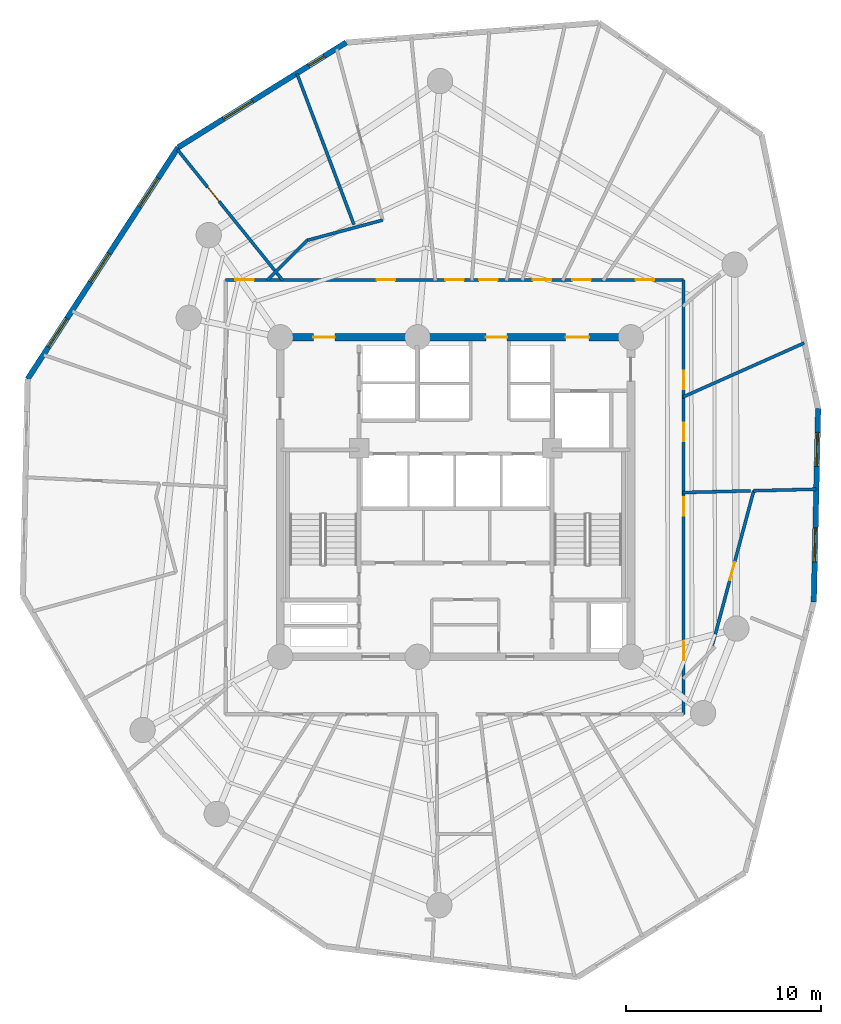
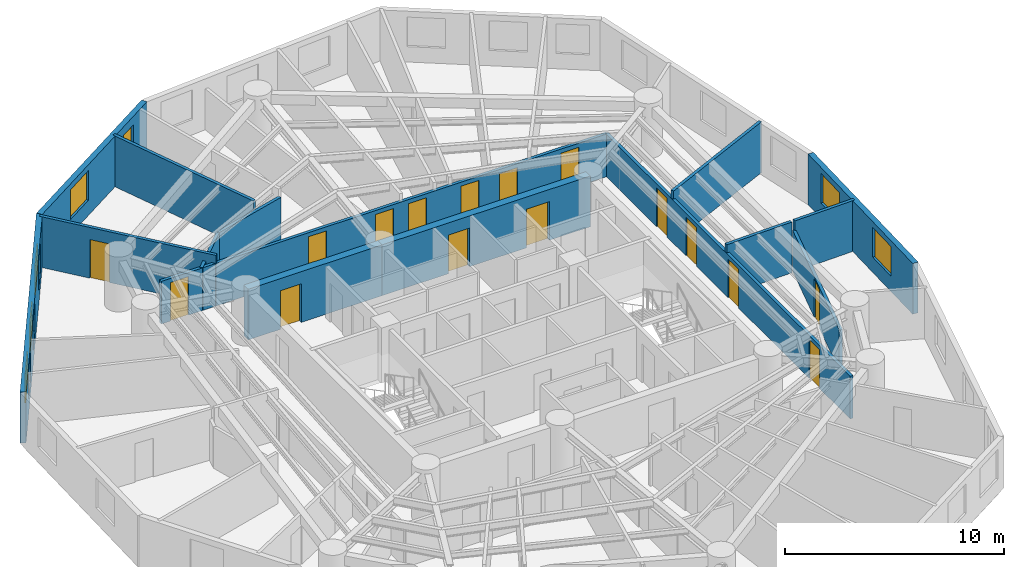
# One storey, part 6 of 8: 16 doors, 15 walls, 7 windows, 23 openings.
"""IFC4 building model written with IfcOpenShell, lengths in metres."""

from ifc_helpers import new_model, si_unit, direction, frame, frame_2d, origin, origin_with_axes, place, context, subcontext, project, spatial, rectangle, extrude, source, transform, mapped, material, layer, layer_set, type_object, element, fill, save


model = new_model("IFC4")

# Units and contexts
model_context = context("Model", 3, precision=1e-05, world=origin(), true_north=direction((0.0, 1.0)))
body_context = subcontext(model_context, "Body", "Model", "MODEL_VIEW")
ifc_project = project(units=[si_unit("LENGTHUNIT", "METRE"), si_unit("AREAUNIT", "SQUARE_METRE"), si_unit("VOLUMEUNIT", "CUBIC_METRE"), si_unit("PLANEANGLEUNIT", "RADIAN"), si_unit("MASSUNIT", "GRAM", prefix="KILO")], contexts=[model_context])

# Site, building, storey
site_placement = place(None, origin())
site = spatial("IfcSite", under=ifc_project, at=site_placement, CompositionType="ELEMENT")
building_placement = place(site_placement, origin())
building = spatial("IfcBuilding", under=site, at=building_placement, Name="Karkom Vertical University and Central Library", CompositionType="ELEMENT")
storey_placement = place(building_placement, frame((0.0, 0.0, 184.0)))
storey = spatial("IfcBuildingStorey", under=building, at=storey_placement, Name="L53", CompositionType="ELEMENT", Elevation=184.0)

# Wall, openings, windows
ifc_material_1 = material(Name="Brick-faced precast concrete C45/55", Category="masonry")
ifc_layer_1 = layer(ifc_material_1, 0.280029296875)
ifc_layer_set_1 = layer_set([ifc_layer_1], Name="Brick-faced precast concrete C45/55")
wall_type_1 = type_object("IfcWallType", Name="ENV-WL-BRK-280", PredefinedType="SOLIDWALL", material=ifc_layer_set_1)
wall_1_placement = place(storey_placement, frame((46.888427734375, 21.122802734375, 0.0), z_axis=(0.0, 0.0, 1.0), x_axis=(0.02232431718, 0.999750781376, 0.0)))
wall_1 = element("IfcWall", 1, at=wall_1_placement, inside=storey, type_object=wall_type_1, Name="Level 53 Brick-Faced Precast Facade Wall 07", PredefinedType="SOLIDWALL", context=body_context, shape_type="SweptSolid", body=[
    extrude(rectangle(XDim=9.929931640625, YDim=0.280029296875, at=frame_2d((4.96484375, 0.0))), origin(), (0.0, 0.0, 1.0), 2.824951171875),
])
opening_1_placement = place(wall_1_placement, frame((2.04443359375, 0.0, 0.85009765625)))
opening_1 = element("IfcOpeningElement", 2, at=opening_1_placement, cuts=wall_1, Name="Opening WN-08", PredefinedType="OPENING", context=body_context, shape_type="SweptSolid", body=[
    extrude(rectangle(XDim=1.75, YDim=1.64990234375, at=frame_2d((0.875, 0.824951171875))), frame((0.0, 0.14990234375, 0.0), z_axis=(0.0, -1.0, 0.0), x_axis=(1.0, 0.0, 0.0)), (0.0, 0.0, 1.0), 0.300048828125),
])
opening_2_placement = place(wall_1_placement, frame((6.94921875, 0.0, 0.85009765625)))
opening_2 = element("IfcOpeningElement", 3, at=opening_2_placement, cuts=wall_1, Name="Opening WN-08", PredefinedType="OPENING", context=body_context, shape_type="SweptSolid", body=[
    extrude(rectangle(XDim=1.75, YDim=1.64990234375, at=frame_2d((0.875, 0.824951171875))), frame((0.0, 0.14990234375, 0.0), z_axis=(0.0, -1.0, 0.0), x_axis=(1.0, 0.0, 0.0)), (0.0, 0.0, 1.0), 0.300048828125),
])
ifc_material_2 = material(Name="Aluminium thermal-break frame with solar-control IGU", Category="aluminium")
window_type_1 = type_object("IfcWindowType", Name="ENV-WIN-WN-08", PartitioningType="SINGLE_PANEL", PredefinedType="WINDOW", material=ifc_material_2)
shared_shape_1 = source(origin_with_axes(), body_context, "Body", "SweptSolid", [
    extrude(rectangle(XDim=1.75, YDim=1.64990234375, at=frame_2d((0.875, 0.824951171875))), frame((0.0, 0.030029296875, 0.0), z_axis=(0.0, -1.0, 0.0), x_axis=(1.0, 0.0, 0.0)), (0.0, 0.0, 1.0), 0.06005859375),
])
window_1_placement = place(opening_1_placement, origin())
window_1 = element("IfcWindow", 4, at=window_1_placement, inside=storey, type_object=window_type_1, Name="Level 53 Punched Window 7.1", OverallHeight=1.64990234375, OverallWidth=1.75, PartitioningType="SINGLE_PANEL", PredefinedType="WINDOW", context=body_context, shape_type="MappedRepresentation", body=[
    mapped(shared_shape_1, transform((0.0, 0.0, 0.0), scale=1.0)),
])
fill(opening_1, window_1)
window_2_placement = place(opening_2_placement, origin())
window_2 = element("IfcWindow", 5, at=window_2_placement, inside=storey, type_object=window_type_1, Name="Level 53 Punched Window 7.2", OverallHeight=1.64990234375, OverallWidth=1.75, PartitioningType="SINGLE_PANEL", PredefinedType="WINDOW", context=body_context, shape_type="MappedRepresentation", body=[
    mapped(shared_shape_1, transform((0.0, 0.0, 0.0), scale=1.0)),
])
fill(opening_2, window_2)

wall_2_placement = place(storey_placement, frame((22.886962890625, 49.83447265625, 0.0), z_axis=(0.0, 0.0, 1.0), x_axis=(-0.848431054038, -0.529305910173, 0.0)))
wall_2 = element("IfcWall", 6, at=wall_2_placement, inside=storey, type_object=wall_type_1, Name="Level 53 Brick-Faced Precast Facade Wall 11", PredefinedType="SOLIDWALL", context=body_context, shape_type="SweptSolid", body=[
    extrude(rectangle(XDim=10.167236328125, YDim=0.280029296875, at=frame_2d((5.08349609375, 0.0))), origin(), (0.0, 0.0, 1.0), 2.824951171875),
])
opening_3_placement = place(wall_2_placement, frame((1.327392578125, 0.0, 0.85009765625)))
opening_3 = element("IfcOpeningElement", 7, at=opening_3_placement, cuts=wall_2, Name="Opening WN-12", PredefinedType="OPENING", context=body_context, shape_type="SweptSolid", body=[
    extrude(rectangle(XDim=0.949951171875, YDim=1.5, at=frame_2d((0.47509765625, 0.75))), frame((0.0, 0.14990234375, 0.0), z_axis=(0.0, -1.0, 0.0), x_axis=(1.0, 0.0, 0.0)), (0.0, 0.0, 1.0), 0.300048828125),
])
opening_4_placement = place(wall_2_placement, frame((5.68017578125, 0.0, 0.85009765625)))
opening_4 = element("IfcOpeningElement", 8, at=opening_4_placement, cuts=wall_2, Name="Opening WN-08", PredefinedType="OPENING", context=body_context, shape_type="SweptSolid", body=[
    extrude(rectangle(XDim=1.75, YDim=1.64990234375, at=frame_2d((0.875, 0.824951171875))), frame((0.0, 0.14990234375, 0.0), z_axis=(0.0, -1.0, 0.0), x_axis=(1.0, 0.0, 0.0)), (0.0, 0.0, 1.0), 0.300048828125),
])
window_type_2 = type_object("IfcWindowType", Name="ENV-WIN-WN-12", PartitioningType="SINGLE_PANEL", PredefinedType="WINDOW", material=ifc_material_2)
shared_shape_2 = source(origin_with_axes(), body_context, "Body", "SweptSolid", [
    extrude(rectangle(XDim=0.949951171875, YDim=1.5, at=frame_2d((0.47509765625, 0.75))), frame((0.0, 0.030029296875, 0.0), z_axis=(0.0, -1.0, 0.0), x_axis=(1.0, 0.0, 0.0)), (0.0, 0.0, 1.0), 0.06005859375),
])
window_3_placement = place(opening_3_placement, origin())
window_3 = element("IfcWindow", 9, at=window_3_placement, inside=storey, type_object=window_type_2, Name="Level 53 Punched Window 11.1", OverallHeight=1.5, OverallWidth=0.949951171875, PartitioningType="SINGLE_PANEL", PredefinedType="WINDOW", context=body_context, shape_type="MappedRepresentation", body=[
    mapped(shared_shape_2, transform((0.0, 0.0, 0.0), scale=1.0)),
])
fill(opening_3, window_3)
window_4_placement = place(opening_4_placement, origin())
window_4 = element("IfcWindow", 10, at=window_4_placement, inside=storey, type_object=window_type_1, Name="Level 53 Punched Window 11.2", OverallHeight=1.64990234375, OverallWidth=1.75, PartitioningType="SINGLE_PANEL", PredefinedType="WINDOW", context=body_context, shape_type="MappedRepresentation", body=[
    mapped(shared_shape_1, transform((0.0, 0.0, 0.0), scale=1.0)),
])
fill(opening_4, window_4)

wall_3_placement = place(storey_placement, frame((14.2607421875, 44.452880859375, 0.0), z_axis=(0.0, 0.0, 1.0), x_axis=(-0.544750661253, -0.838598066456, 0.0)))
wall_3 = element("IfcWall", 11, at=wall_3_placement, inside=storey, type_object=wall_type_1, Name="Level 53 Brick-Faced Precast Facade Wall 12", PredefinedType="SOLIDWALL", context=body_context, shape_type="SweptSolid", body=[
    extrude(rectangle(XDim=14.18994140625, YDim=0.280029296875, at=frame_2d((7.094970703125, 0.0))), origin(), (0.0, 0.0, 1.0), 2.824951171875),
])
opening_5_placement = place(wall_3_placement, frame((1.885498046875, 0.0, 0.85009765625)))
opening_5 = element("IfcOpeningElement", 12, at=opening_5_placement, cuts=wall_3, Name="Opening WN-08", PredefinedType="OPENING", context=body_context, shape_type="SweptSolid", body=[
    extrude(rectangle(XDim=1.75, YDim=1.64990234375, at=frame_2d((0.875, 0.824951171875))), frame((0.0, 0.14990234375, 0.0), z_axis=(0.0, -1.0, 0.0), x_axis=(1.0, 0.0, 0.0)), (0.0, 0.0, 1.0), 0.300048828125),
])
opening_6_placement = place(wall_3_placement, frame((6.50634765625, 0.0, 0.85009765625)))
opening_6 = element("IfcOpeningElement", 13, at=opening_6_placement, cuts=wall_3, Name="Opening WN-08", PredefinedType="OPENING", context=body_context, shape_type="SweptSolid", body=[
    extrude(rectangle(XDim=1.75, YDim=1.64990234375, at=frame_2d((0.875, 0.824951171875))), frame((0.0, 0.14990234375, 0.0), z_axis=(0.0, -1.0, 0.0), x_axis=(1.0, 0.0, 0.0)), (0.0, 0.0, 1.0), 0.300048828125),
])
opening_7_placement = place(wall_3_placement, frame((10.474853515625, 0.0, 0.85009765625)))
opening_7 = element("IfcOpeningElement", 14, at=opening_7_placement, cuts=wall_3, Name="Opening WN-08", PredefinedType="OPENING", context=body_context, shape_type="SweptSolid", body=[
    extrude(rectangle(XDim=1.75, YDim=1.64990234375, at=frame_2d((0.875, 0.824951171875))), frame((0.0, 0.14990234375, 0.0), z_axis=(0.0, -1.0, 0.0), x_axis=(1.0, 0.0, 0.0)), (0.0, 0.0, 1.0), 0.300048828125),
])
window_5_placement = place(opening_5_placement, origin())
window_5 = element("IfcWindow", 15, at=window_5_placement, inside=storey, type_object=window_type_1, Name="Level 53 Punched Window 12.1", OverallHeight=1.64990234375, OverallWidth=1.75, PartitioningType="SINGLE_PANEL", PredefinedType="WINDOW", context=body_context, shape_type="MappedRepresentation", body=[
    mapped(shared_shape_1, transform((0.0, 0.0, 0.0), scale=1.0)),
])
fill(opening_5, window_5)
window_6_placement = place(opening_6_placement, origin())
window_6 = element("IfcWindow", 16, at=window_6_placement, inside=storey, type_object=window_type_1, Name="Level 53 Punched Window 12.2", OverallHeight=1.64990234375, OverallWidth=1.75, PartitioningType="SINGLE_PANEL", PredefinedType="WINDOW", context=body_context, shape_type="MappedRepresentation", body=[
    mapped(shared_shape_1, transform((0.0, 0.0, 0.0), scale=1.0)),
])
fill(opening_6, window_6)
window_7_placement = place(opening_7_placement, origin())
window_7 = element("IfcWindow", 17, at=window_7_placement, inside=storey, type_object=window_type_1, Name="Level 53 Punched Window 12.3", OverallHeight=1.64990234375, OverallWidth=1.75, PartitioningType="SINGLE_PANEL", PredefinedType="WINDOW", context=body_context, shape_type="MappedRepresentation", body=[
    mapped(shared_shape_1, transform((0.0, 0.0, 0.0), scale=1.0)),
])
fill(opening_7, window_7)

# Wall, openings, doors
ifc_material_3 = material(Name="Insulated metal-stud drywall 160mm", Category="gypsum")
ifc_layer_2 = layer(ifc_material_3, 0.159912109375)
ifc_layer_set_2 = layer_set([ifc_layer_2], Name="Insulated metal-stud drywall 160mm")
wall_type_2 = type_object("IfcWallType", Name="INT-WL-COR-160", PredefinedType="PARTITIONING", material=ifc_layer_set_2)
wall_4_placement = place(storey_placement, frame((16.699951171875, 37.64990234375, 0.0), z_axis=(0.0, 0.0, 1.0), x_axis=(1.0, 0.0, 0.0)))
wall_4 = element("IfcWall", 18, at=wall_4_placement, inside=storey, type_object=wall_type_2, Name="Level 53 Interior Partition Wall L53-CORW-CW-003", PredefinedType="PARTITIONING", context=body_context, shape_type="SweptSolid", body=[
    extrude(rectangle(XDim=23.5, YDim=0.159912109375, at=frame_2d((11.75, 0.0))), origin(), (0.0, 0.0, 1.0), 2.375),
])
opening_8_placement = place(wall_4_placement, frame((21.042724609375, 0.0, 0.0)))
opening_8 = element("IfcOpeningElement", 19, at=opening_8_placement, cuts=wall_4, Name="Opening D-RM1", PredefinedType="OPENING", context=body_context, shape_type="SweptSolid", body=[
    extrude(rectangle(XDim=0.949951171875, YDim=2.14990234375, at=frame_2d((0.47509765625, 1.074951171875))), frame((0.0, 0.08984375, 0.0), z_axis=(0.0, -1.0, 0.0), x_axis=(1.0, 0.0, 0.0)), (0.0, 0.0, 1.0), 0.179931640625),
])
opening_9_placement = place(wall_4_placement, frame((17.7900390625, 0.0, 0.0)))
opening_9 = element("IfcOpeningElement", 20, at=opening_9_placement, cuts=wall_4, Name="Opening D-RM1", PredefinedType="OPENING", context=body_context, shape_type="SweptSolid", body=[
    extrude(rectangle(XDim=0.949951171875, YDim=2.14990234375, at=frame_2d((0.47509765625, 1.074951171875))), frame((0.0, 0.08984375, 0.0), z_axis=(0.0, -1.0, 0.0), x_axis=(1.0, 0.0, 0.0)), (0.0, 0.0, 1.0), 0.179931640625),
])
opening_10_placement = place(wall_4_placement, frame((15.762939453125, 0.0, 0.0)))
opening_10 = element("IfcOpeningElement", 21, at=opening_10_placement, cuts=wall_4, Name="Opening D-RM1", PredefinedType="OPENING", context=body_context, shape_type="SweptSolid", body=[
    extrude(rectangle(XDim=0.949951171875, YDim=2.14990234375, at=frame_2d((0.47509765625, 1.074951171875))), frame((0.0, 0.08984375, 0.0), z_axis=(0.0, -1.0, 0.0), x_axis=(1.0, 0.0, 0.0)), (0.0, 0.0, 1.0), 0.179931640625),
])
opening_11_placement = place(wall_4_placement, frame((13.00341796875, 0.0, 0.0)))
opening_11 = element("IfcOpeningElement", 22, at=opening_11_placement, cuts=wall_4, Name="Opening D-RM1", PredefinedType="OPENING", context=body_context, shape_type="SweptSolid", body=[
    extrude(rectangle(XDim=0.949951171875, YDim=2.14990234375, at=frame_2d((0.47509765625, 1.074951171875))), frame((0.0, 0.08984375, 0.0), z_axis=(0.0, -1.0, 0.0), x_axis=(1.0, 0.0, 0.0)), (0.0, 0.0, 1.0), 0.179931640625),
])
opening_12_placement = place(wall_4_placement, frame((11.27490234375, 0.0, 0.0)))
opening_12 = element("IfcOpeningElement", 23, at=opening_12_placement, cuts=wall_4, Name="Opening D-RM1", PredefinedType="OPENING", context=body_context, shape_type="SweptSolid", body=[
    extrude(rectangle(XDim=0.949951171875, YDim=2.14990234375, at=frame_2d((0.47509765625, 1.074951171875))), frame((0.0, 0.08984375, 0.0), z_axis=(0.0, -1.0, 0.0), x_axis=(1.0, 0.0, 0.0)), (0.0, 0.0, 1.0), 0.179931640625),
])
opening_13_placement = place(wall_4_placement, frame((7.75, 0.0, 0.0)))
opening_13 = element("IfcOpeningElement", 24, at=opening_13_placement, cuts=wall_4, Name="Opening D-RM1", PredefinedType="OPENING", context=body_context, shape_type="SweptSolid", body=[
    extrude(rectangle(XDim=0.949951171875, YDim=2.14990234375, at=frame_2d((0.47509765625, 1.074951171875))), frame((0.0, 0.08984375, 0.0), z_axis=(0.0, -1.0, 0.0), x_axis=(1.0, 0.0, 0.0)), (0.0, 0.0, 1.0), 0.179931640625),
])
opening_14_placement = place(wall_4_placement, frame((0.493408203125, 0.0, 0.0)))
opening_14 = element("IfcOpeningElement", 25, at=opening_14_placement, cuts=wall_4, Name="Opening D-RM1", PredefinedType="OPENING", context=body_context, shape_type="SweptSolid", body=[
    extrude(rectangle(XDim=0.949951171875, YDim=2.14990234375, at=frame_2d((0.47509765625, 1.074951171875))), frame((0.0, 0.08984375, 0.0), z_axis=(0.0, -1.0, 0.0), x_axis=(1.0, 0.0, 0.0)), (0.0, 0.0, 1.0), 0.179931640625),
])
ifc_material_4 = material(Name="Solid-core oak veneer door", Category="wood")
door_type_1 = type_object("IfcDoorType", Name="INT-DR-RM1", OperationType="NOTDEFINED", PredefinedType="DOOR", material=ifc_material_4)
shared_shape_3 = source(origin_with_axes(), body_context, "Body", "SweptSolid", [
    extrude(rectangle(XDim=0.949951171875, YDim=2.14990234375, at=frame_2d((0.47509765625, 1.074951171875))), frame((0.0, 0.02490234375, 0.0), z_axis=(0.0, -1.0, 0.0), x_axis=(1.0, 0.0, 0.0)), (0.0, 0.0, 1.0), 0.050048828125),
])
door_1_placement = place(opening_8_placement, origin())
door_1 = element("IfcDoor", 26, at=door_1_placement, inside=storey, type_object=door_type_1, Name="Level 53 Room Entry Door 180", OperationType="SINGLE_SWING_LEFT", OverallHeight=2.14990234375, OverallWidth=0.949951171875, PredefinedType="DOOR", context=body_context, shape_type="MappedRepresentation", body=[
    mapped(shared_shape_3, transform((0.0, 0.0, 0.0), scale=1.0)),
])
fill(opening_8, door_1)
door_2_placement = place(opening_9_placement, origin())
door_2 = element("IfcDoor", 27, at=door_2_placement, inside=storey, type_object=door_type_1, Name="Level 53 Room Entry Door 190", OperationType="SINGLE_SWING_RIGHT", OverallHeight=2.14990234375, OverallWidth=0.949951171875, PredefinedType="DOOR", context=body_context, shape_type="MappedRepresentation", body=[
    mapped(shared_shape_3, transform((0.0, 0.0, 0.0), scale=1.0)),
])
fill(opening_9, door_2)
door_3_placement = place(opening_10_placement, origin())
door_3 = element("IfcDoor", 28, at=door_3_placement, inside=storey, type_object=door_type_1, Name="Level 53 Room Entry Door 200", OperationType="SINGLE_SWING_LEFT", OverallHeight=2.14990234375, OverallWidth=0.949951171875, PredefinedType="DOOR", context=body_context, shape_type="MappedRepresentation", body=[
    mapped(shared_shape_3, transform((0.0, 0.0, 0.0), scale=1.0)),
])
fill(opening_10, door_3)
door_4_placement = place(opening_11_placement, origin())
door_4 = element("IfcDoor", 29, at=door_4_placement, inside=storey, type_object=door_type_1, Name="Level 53 Room Entry Door 220", OperationType="SINGLE_SWING_RIGHT", OverallHeight=2.14990234375, OverallWidth=0.949951171875, PredefinedType="DOOR", context=body_context, shape_type="MappedRepresentation", body=[
    mapped(shared_shape_3, transform((0.0, 0.0, 0.0), scale=1.0)),
])
fill(opening_11, door_4)
door_5_placement = place(opening_12_placement, origin())
door_5 = element("IfcDoor", 30, at=door_5_placement, inside=storey, type_object=door_type_1, Name="Level 53 Room Entry Door 230", OperationType="SINGLE_SWING_LEFT", OverallHeight=2.14990234375, OverallWidth=0.949951171875, PredefinedType="DOOR", context=body_context, shape_type="MappedRepresentation", body=[
    mapped(shared_shape_3, transform((0.0, 0.0, 0.0), scale=1.0)),
])
fill(opening_12, door_5)
door_6_placement = place(opening_13_placement, origin())
door_6 = element("IfcDoor", 31, at=door_6_placement, inside=storey, type_object=door_type_1, Name="Level 53 Room Entry Door 240", OperationType="SINGLE_SWING_RIGHT", OverallHeight=2.14990234375, OverallWidth=0.949951171875, PredefinedType="DOOR", context=body_context, shape_type="MappedRepresentation", body=[
    mapped(shared_shape_3, transform((0.0, 0.0, 0.0), scale=1.0)),
])
fill(opening_13, door_6)
door_7_placement = place(opening_14_placement, origin())
door_7 = element("IfcDoor", 32, at=door_7_placement, inside=storey, type_object=door_type_1, Name="Level 53 Room Entry Door 270", OperationType="SINGLE_SWING_LEFT", OverallHeight=2.14990234375, OverallWidth=0.949951171875, PredefinedType="DOOR", context=body_context, shape_type="MappedRepresentation", body=[
    mapped(shared_shape_3, transform((0.0, 0.0, 0.0), scale=1.0)),
])
fill(opening_14, door_7)

wall_5_placement = place(storey_placement, frame((40.199951171875, 37.64990234375, 0.0), z_axis=(0.0, 0.0, 1.0), x_axis=(0.0, -1.0, 0.0)))
wall_5 = element("IfcWall", 33, at=wall_5_placement, inside=storey, type_object=wall_type_2, Name="Level 53 Interior Partition Wall L53-CORW-CW-004", PredefinedType="PARTITIONING", context=body_context, shape_type="SweptSolid", body=[
    extrude(rectangle(XDim=22.2998046875, YDim=0.159912109375, at=frame_2d((11.14990234375, 0.0))), origin(), (0.0, 0.0, 1.0), 2.375),
])
opening_15_placement = place(wall_5_placement, frame((18.566650390625, 0.0, 0.0)))
opening_15 = element("IfcOpeningElement", 34, at=opening_15_placement, cuts=wall_5, Name="Opening D-RM1", PredefinedType="OPENING", context=body_context, shape_type="SweptSolid", body=[
    extrude(rectangle(XDim=0.949951171875, YDim=2.14990234375, at=frame_2d((0.47509765625, 1.074951171875))), frame((0.0, 0.08984375, 0.0), z_axis=(0.0, -1.0, 0.0), x_axis=(1.0, 0.0, 0.0)), (0.0, 0.0, 1.0), 0.179931640625),
])
opening_16_placement = place(wall_5_placement, frame((11.1650390625, 0.0, 0.0)))
opening_16 = element("IfcOpeningElement", 35, at=opening_16_placement, cuts=wall_5, Name="Opening D-RM1", PredefinedType="OPENING", context=body_context, shape_type="SweptSolid", body=[
    extrude(rectangle(XDim=0.949951171875, YDim=2.14990234375, at=frame_2d((0.47509765625, 1.074951171875))), frame((0.0, 0.08984375, 0.0), z_axis=(0.0, -1.0, 0.0), x_axis=(1.0, 0.0, 0.0)), (0.0, 0.0, 1.0), 0.179931640625),
])
opening_17_placement = place(wall_5_placement, frame((7.330078125, 0.0, 0.0)))
opening_17 = element("IfcOpeningElement", 36, at=opening_17_placement, cuts=wall_5, Name="Opening D-RM1", PredefinedType="OPENING", context=body_context, shape_type="SweptSolid", body=[
    extrude(rectangle(XDim=0.949951171875, YDim=2.14990234375, at=frame_2d((0.47509765625, 1.074951171875))), frame((0.0, 0.08984375, 0.0), z_axis=(0.0, -1.0, 0.0), x_axis=(1.0, 0.0, 0.0)), (0.0, 0.0, 1.0), 0.179931640625),
])
opening_18_placement = place(wall_5_placement, frame((4.659912109375, 0.0, 0.0)))
opening_18 = element("IfcOpeningElement", 37, at=opening_18_placement, cuts=wall_5, Name="Opening D-RM1", PredefinedType="OPENING", context=body_context, shape_type="SweptSolid", body=[
    extrude(rectangle(XDim=0.949951171875, YDim=2.14990234375, at=frame_2d((0.47509765625, 1.074951171875))), frame((0.0, 0.08984375, 0.0), z_axis=(0.0, -1.0, 0.0), x_axis=(1.0, 0.0, 0.0)), (0.0, 0.0, 1.0), 0.179931640625),
])
door_8_placement = place(opening_15_placement, origin())
door_8 = element("IfcDoor", 38, at=door_8_placement, inside=storey, type_object=door_type_1, Name="Level 53 Room Entry Door 130", OperationType="SINGLE_SWING_LEFT", OverallHeight=2.14990234375, OverallWidth=0.949951171875, PredefinedType="DOOR", context=body_context, shape_type="MappedRepresentation", body=[
    mapped(shared_shape_3, transform((0.0, 0.0, 0.0), scale=1.0)),
])
fill(opening_15, door_8)
door_9_placement = place(opening_16_placement, origin())
door_9 = element("IfcDoor", 39, at=door_9_placement, inside=storey, type_object=door_type_1, Name="Level 53 Room Entry Door 140", OperationType="SINGLE_SWING_RIGHT", OverallHeight=2.14990234375, OverallWidth=0.949951171875, PredefinedType="DOOR", context=body_context, shape_type="MappedRepresentation", body=[
    mapped(shared_shape_3, transform((0.0, 0.0, 0.0), scale=1.0)),
])
fill(opening_16, door_9)
door_10_placement = place(opening_17_placement, origin())
door_10 = element("IfcDoor", 40, at=door_10_placement, inside=storey, type_object=door_type_1, Name="Level 53 Room Entry Door 160", OperationType="SINGLE_SWING_LEFT", OverallHeight=2.14990234375, OverallWidth=0.949951171875, PredefinedType="DOOR", context=body_context, shape_type="MappedRepresentation", body=[
    mapped(shared_shape_3, transform((0.0, 0.0, 0.0), scale=1.0)),
])
fill(opening_17, door_10)
door_11_placement = place(opening_18_placement, origin())
door_11 = element("IfcDoor", 41, at=door_11_placement, inside=storey, type_object=door_type_1, Name="Level 53 Room Entry Door 170", OperationType="SINGLE_SWING_RIGHT", OverallHeight=2.14990234375, OverallWidth=0.949951171875, PredefinedType="DOOR", context=body_context, shape_type="MappedRepresentation", body=[
    mapped(shared_shape_3, transform((0.0, 0.0, 0.0), scale=1.0)),
])
fill(opening_18, door_11)

# Wall, opening, door
wall_6_placement = place(storey_placement, frame((19.630615234375, 37.614990234375, 0.0), z_axis=(0.0, 0.0, 1.0), x_axis=(-0.627024479595, 0.778999551982, 0.0)))
wall_6 = element("IfcWall", 42, at=wall_6_placement, inside=storey, type_object=wall_type_2, Name="Level 53 Interior Partition Wall L53-PW-040", PredefinedType="PARTITIONING", context=body_context, shape_type="SweptSolid", body=[
    extrude(rectangle(XDim=8.6298828125, YDim=0.159912109375, at=frame_2d((4.31494140625, 0.0))), origin(), (0.0, 0.0, 1.0), 2.824951171875),
])
opening_19_placement = place(wall_6_placement, frame((5.204833984375, 0.0, 0.0)))
opening_19 = element("IfcOpeningElement", 43, at=opening_19_placement, cuts=wall_6, Name="Opening D-RM1", PredefinedType="OPENING", context=body_context, shape_type="SweptSolid", body=[
    extrude(rectangle(XDim=0.949951171875, YDim=2.14990234375, at=frame_2d((0.47509765625, 1.074951171875))), frame((0.0, 0.08984375, 0.0), z_axis=(0.0, -1.0, 0.0), x_axis=(1.0, 0.0, 0.0)), (0.0, 0.0, 1.0), 0.179931640625),
])
door_12_placement = place(opening_19_placement, origin())
door_12 = element("IfcDoor", 44, at=door_12_placement, inside=storey, type_object=door_type_1, Name="Level 53 Room Entry Door 260", OperationType="SINGLE_SWING_LEFT", OverallHeight=2.14990234375, OverallWidth=0.949951171875, PredefinedType="DOOR", context=body_context, shape_type="MappedRepresentation", body=[
    mapped(shared_shape_3, transform((0.0, 0.0, 0.0), scale=1.0)),
])
fill(opening_19, door_12)

# Wall
wall_7_placement = place(storey_placement, frame((23.28271484375, 40.48486328125, 0.0), z_axis=(0.0, 0.0, 1.0), x_axis=(-0.353324260878, 0.935500917517, 0.0)))
element("IfcWall", 45, at=wall_7_placement, inside=storey, type_object=wall_type_2, Name="Level 53 Interior Partition Wall L53-PW-039", PredefinedType="PARTITIONING", context=body_context, shape_type="SweptSolid", body=[
    extrude(rectangle(XDim=8.275146484375, YDim=0.159912109375, at=frame_2d((4.1376953125, 0.0))), origin(), (0.0, 0.0, 1.0), 2.824951171875),
])

# Wall, opening, door
wall_8_placement = place(storey_placement, frame((43.80224609375, 26.8173828125, 0.0), z_axis=(0.0, 0.0, 1.0), x_axis=(-0.25881986312, -0.965925607102, 0.0)))
wall_8 = element("IfcWall", 46, at=wall_8_placement, inside=storey, type_object=wall_type_2, Name="Level 53 Interior Partition Wall L53-PW-024", PredefinedType="PARTITIONING", context=body_context, shape_type="SweptSolid", body=[
    extrude(rectangle(XDim=8.20556640625, YDim=0.159912109375, at=frame_2d((4.102783203125, 0.0))), origin(), (0.0, 0.0, 1.0), 2.27490234375),
])
opening_20_placement = place(wall_8_placement, frame((3.7919921875, 0.0, 0.0)))
opening_20 = element("IfcOpeningElement", 47, at=opening_20_placement, cuts=wall_8, Name="Opening D-RM1", PredefinedType="OPENING", context=body_context, shape_type="SweptSolid", body=[
    extrude(rectangle(XDim=0.949951171875, YDim=2.14990234375, at=frame_2d((0.47509765625, 1.074951171875))), frame((0.0, 0.08984375, 0.0), z_axis=(0.0, -1.0, 0.0), x_axis=(1.0, 0.0, 0.0)), (0.0, 0.0, 1.0), 0.179931640625),
])
door_13_placement = place(opening_20_placement, origin())
door_13 = element("IfcDoor", 48, at=door_13_placement, inside=storey, type_object=door_type_1, Name="Level 53 Room Entry Door 150", OperationType="SINGLE_SWING_RIGHT", OverallHeight=2.14990234375, OverallWidth=0.949951171875, PredefinedType="DOOR", context=body_context, shape_type="MappedRepresentation", body=[
    mapped(shared_shape_3, transform((0.0, 0.0, 0.0), scale=1.0)),
])
fill(opening_20, door_13)

# Walls
wall_9_placement = place(storey_placement, frame((40.158935546875, 31.62890625, 0.0), z_axis=(0.0, 0.0, 1.0), x_axis=(0.913457050706, 0.406935150258, 0.0)))
element("IfcWall", 49, at=wall_9_placement, inside=storey, type_object=wall_type_2, Name="Level 53 Interior Partition Wall L53-PW-027", PredefinedType="PARTITIONING", context=body_context, shape_type="SweptSolid", body=[
    extrude(rectangle(XDim=6.822509765625, YDim=0.159912109375, at=frame_2d((3.4111328125, 0.0))), origin(), (0.0, 0.0, 1.0), 2.824951171875),
])
wall_10_placement = place(storey_placement, frame((20.891357421875, 39.678466796875, 0.0), z_axis=(0.0, 0.0, 1.0), x_axis=(0.96592515808, 0.258821538881, 0.0)))
element("IfcWall", 50, at=wall_10_placement, inside=storey, type_object=wall_type_2, Name="Level 53 Interior Partition Wall L53-PW-037", PredefinedType="PARTITIONING", context=body_context, shape_type="SweptSolid", body=[
    extrude(rectangle(XDim=3.99853515625, YDim=0.159912109375, at=frame_2d((1.999267578125, 0.0))), origin(), (0.0, 0.0, 1.0), 2.375),
])
wall_11_placement = place(storey_placement, frame((40.155029296875, 26.7314453125, 0.0), z_axis=(0.0, 0.0, 1.0), x_axis=(0.999687690253, 0.02499043731, 0.0)))
element("IfcWall", 51, at=wall_11_placement, inside=storey, type_object=wall_type_2, Name="Level 53 Interior Partition Wall L53-PW-025", PredefinedType="PARTITIONING", context=body_context, shape_type="SweptSolid", body=[
    extrude(rectangle(XDim=3.477783203125, YDim=0.159912109375, at=frame_2d((1.73876953125, 0.0))), origin(), (0.0, 0.0, 1.0), 2.824951171875),
])
wall_12_placement = place(storey_placement, frame((43.79638671875, 26.822509765625, 0.0), z_axis=(0.0, 0.0, 1.0), x_axis=(0.999688170866, 0.024971204024, 0.0)))
element("IfcWall", 52, at=wall_12_placement, inside=storey, type_object=wall_type_2, Name="Level 53 Interior Partition Wall L53-PW-026", PredefinedType="PARTITIONING", context=body_context, shape_type="SweptSolid", body=[
    extrude(rectangle(XDim=3.197021484375, YDim=0.159912109375, at=frame_2d((1.5986328125, 0.0))), origin(), (0.0, 0.0, 1.0), 2.824951171875),
])
wall_13_placement = place(storey_placement, frame((18.8310546875, 37.6181640625, 0.0), z_axis=(0.0, 0.0, 1.0), x_axis=(0.707106781187, 0.707106781187, 0.0)))
element("IfcWall", 53, at=wall_13_placement, inside=storey, type_object=wall_type_2, Name="Level 53 Interior Partition Wall L53-PW-038", PredefinedType="PARTITIONING", context=body_context, shape_type="SweptSolid", body=[
    extrude(rectangle(XDim=2.913818359375, YDim=0.159912109375, at=frame_2d((1.45703125, 0.0))), origin(), (0.0, 0.0, 1.0), 2.375),
])

# Wall, openings, doors
ifc_material_5 = material(Name="Concrete C50/60", Category="concrete")
ifc_layer_3 = layer(ifc_material_5, 0.39990234375)
ifc_layer_set_3 = layer_set([ifc_layer_3], Name="Concrete C50/60")
wall_type_3 = type_object("IfcWallType", Name="STR-WL-CW-400", PredefinedType="SHEAR", material=ifc_layer_set_3)
wall_14_placement = place(storey_placement, frame((37.5, 34.699951171875, 0.0), z_axis=(0.0, 0.0, 1.0), x_axis=(-1.0, 0.0, 0.0)))
wall_14 = element("IfcWall", 54, at=wall_14_placement, inside=storey, type_object=wall_type_3, Name="Level 53 Central Core Shear Wall NW1", PredefinedType="SHEAR", context=body_context, shape_type="SweptSolid", body=[
    extrude(rectangle(XDim=10.949951171875, YDim=0.39990234375, at=frame_2d((5.47509765625, 0.0))), origin(), (0.0, 0.0, 1.0), 2.824951171875),
])
opening_21_placement = place(wall_14_placement, frame((2.14990234375, 0.0, 0.0)))
opening_21 = element("IfcOpeningElement", 55, at=opening_21_placement, cuts=wall_14, Name="Opening FD-SUB1", PredefinedType="OPENING", context=body_context, shape_type="SweptSolid", body=[
    extrude(rectangle(XDim=1.199951171875, YDim=2.14990234375, at=frame_2d((0.60009765625, 1.074951171875))), frame((0.0, 0.2099609375, 0.0), z_axis=(0.0, -1.0, 0.0), x_axis=(1.0, 0.0, 0.0)), (0.0, 0.0, 1.0), 0.419921875),
])
opening_22_placement = place(wall_14_placement, frame((6.35009765625, 0.0, 0.0)))
opening_22 = element("IfcOpeningElement", 56, at=opening_22_placement, cuts=wall_14, Name="Opening FD-FFL", PredefinedType="OPENING", context=body_context, shape_type="SweptSolid", body=[
    extrude(rectangle(XDim=1.10009765625, YDim=2.14990234375, at=frame_2d((0.550048828125, 1.074951171875))), frame((0.0, 0.2099609375, 0.0), z_axis=(0.0, -1.0, 0.0), x_axis=(1.0, 0.0, 0.0)), (0.0, 0.0, 1.0), 0.419921875),
])
ifc_material_6 = material(Name="Painted steel smoke-seal fire door", Category="steel")
door_type_2 = type_object("IfcDoorType", Name="INT-DR-FFL", OperationType="NOTDEFINED", PredefinedType="DOOR", material=ifc_material_6)
shared_shape_4 = source(origin_with_axes(), body_context, "Body", "SweptSolid", [
    extrude(rectangle(XDim=1.10009765625, YDim=2.14990234375, at=frame_2d((0.550048828125, 1.074951171875))), frame((0.0, 0.02490234375, 0.0), z_axis=(0.0, -1.0, 0.0), x_axis=(1.0, 0.0, 0.0)), (0.0, 0.0, 1.0), 0.050048828125),
])
door_14_placement = place(opening_22_placement, origin())
door_14 = element("IfcDoor", 57, at=door_14_placement, inside=storey, type_object=door_type_2, Name="Level 53 North Core Lobby Exit Door", OperationType="SINGLE_SWING_LEFT", OverallHeight=2.14990234375, OverallWidth=1.10009765625, PredefinedType="DOOR", context=body_context, shape_type="MappedRepresentation", body=[
    mapped(shared_shape_4, transform((0.0, 0.0, 0.0), scale=1.0)),
])
fill(opening_22, door_14)
ifc_material_7 = material(Name="Painted steel fire door", Category="steel")
door_type_3 = type_object("IfcDoorType", Name="INT-DR-SUB1", OperationType="NOTDEFINED", PredefinedType="DOOR", material=ifc_material_7)
shared_shape_5 = source(origin_with_axes(), body_context, "Body", "SweptSolid", [
    extrude(rectangle(XDim=1.199951171875, YDim=2.14990234375, at=frame_2d((0.60009765625, 1.074951171875))), frame((0.0, 0.02490234375, 0.0), z_axis=(0.0, -1.0, 0.0), x_axis=(1.0, 0.0, 0.0)), (0.0, 0.0, 1.0), 0.050048828125),
])
door_15_placement = place(opening_21_placement, origin())
door_15 = element("IfcDoor", 58, at=door_15_placement, inside=storey, type_object=door_type_3, Name="Level 53 Service Lobby Fire Door", OperationType="SINGLE_SWING_RIGHT", OverallHeight=2.14990234375, OverallWidth=1.199951171875, PredefinedType="DOOR", context=body_context, shape_type="MappedRepresentation", body=[
    mapped(shared_shape_5, transform((0.0, 0.0, 0.0), scale=1.0)),
])
fill(opening_21, door_15)

# Wall, opening, door
wall_15_placement = place(storey_placement, frame((26.550048828125, 34.699951171875, 0.0), z_axis=(0.0, 0.0, 1.0), x_axis=(-1.0, 0.0, 0.0)))
wall_15 = element("IfcWall", 59, at=wall_15_placement, inside=storey, type_object=wall_type_3, Name="Level 53 Central Core Shear Wall NW2", PredefinedType="SHEAR", context=body_context, shape_type="SweptSolid", body=[
    extrude(rectangle(XDim=7.050048828125, YDim=0.39990234375, at=frame_2d((3.52490234375, 0.0))), origin(), (0.0, 0.0, 1.0), 2.824951171875),
])
opening_23_placement = place(wall_15_placement, frame((4.25, 0.0, 0.0)))
opening_23 = element("IfcOpeningElement", 60, at=opening_23_placement, cuts=wall_15, Name="Opening FD-FFL", PredefinedType="OPENING", context=body_context, shape_type="SweptSolid", body=[
    extrude(rectangle(XDim=1.10009765625, YDim=2.14990234375, at=frame_2d((0.550048828125, 1.074951171875))), frame((0.0, 0.2099609375, 0.0), z_axis=(0.0, -1.0, 0.0), x_axis=(1.0, 0.0, 0.0)), (0.0, 0.0, 1.0), 0.419921875),
])
door_16_placement = place(opening_23_placement, origin())
door_16 = element("IfcDoor", 61, at=door_16_placement, inside=storey, type_object=door_type_2, Name="Level 53 Firefighting Lobby Door", OperationType="SINGLE_SWING_LEFT", OverallHeight=2.14990234375, OverallWidth=1.10009765625, PredefinedType="DOOR", context=body_context, shape_type="MappedRepresentation", body=[
    mapped(shared_shape_4, transform((0.0, 0.0, 0.0), scale=1.0)),
])
fill(opening_23, door_16)

save(model, "model.ifc")
